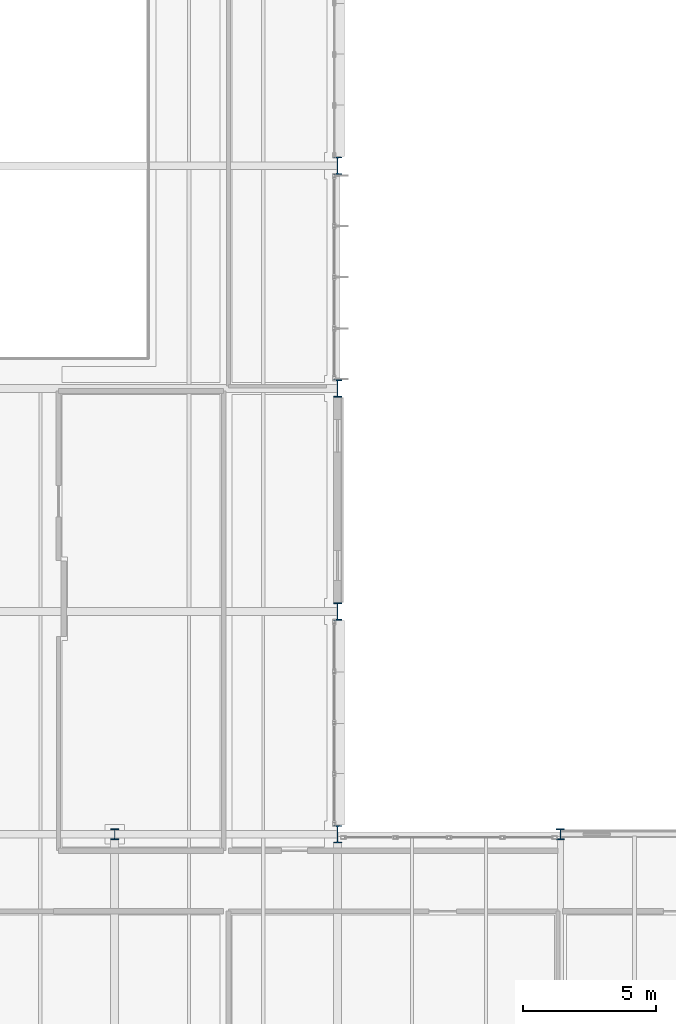
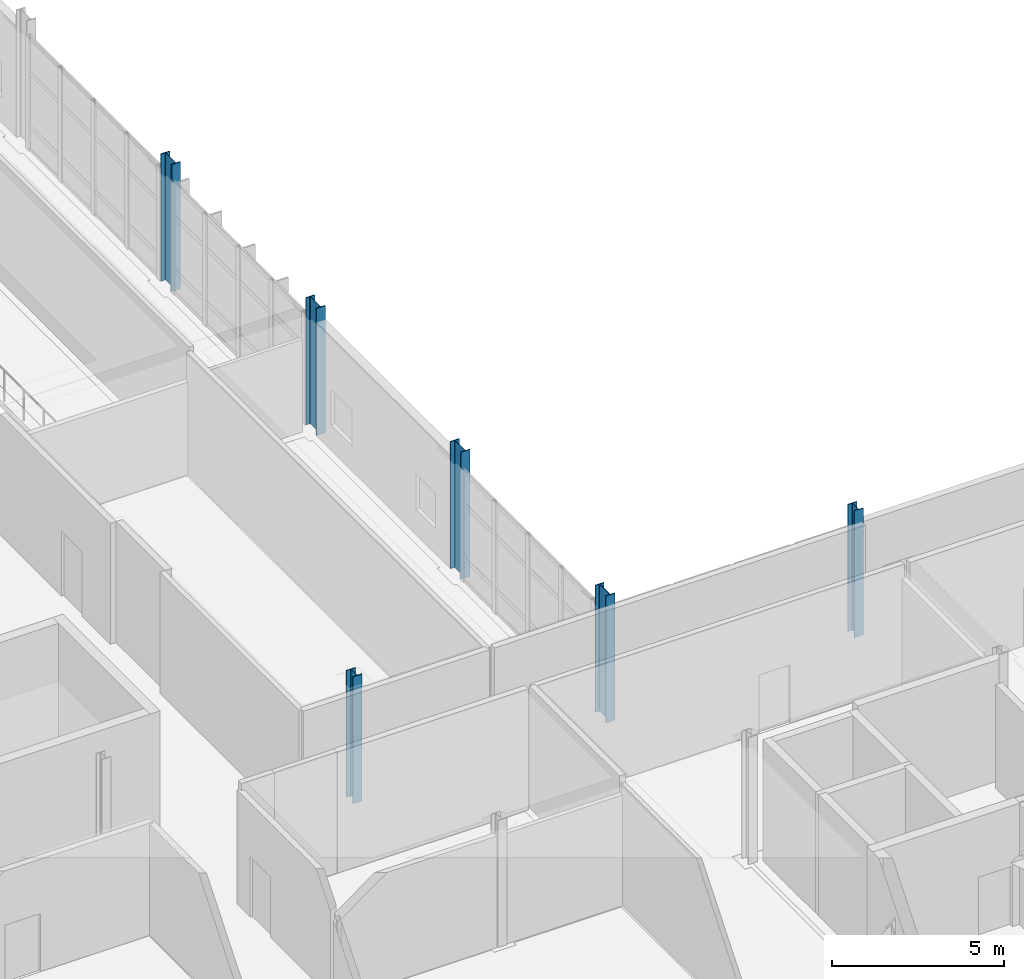
# One storey, part 7 of 129: 6 columns.
"""IFC4 building model written with IfcOpenShell, lengths in metres."""

from ifc_helpers import new_model, si_unit, direction, frame, origin, origin_2d, place, context, subcontext, project, spatial, i_section, extrude, material, material_profile, profile_set, type_object, element, save


model = new_model("IFC4")

# Units and contexts
model_context = context("Model", 3, precision=1e-05, world=origin(), true_north=direction((0.0, 1.0)))
body_context = subcontext(model_context, "Body", "Model", "MODEL_VIEW")
ifc_project = project(units=[si_unit("LENGTHUNIT", "METRE"), si_unit("AREAUNIT", "SQUARE_METRE"), si_unit("VOLUMEUNIT", "CUBIC_METRE"), si_unit("PLANEANGLEUNIT", "RADIAN"), si_unit("MASSUNIT", "GRAM", prefix="KILO")], contexts=[model_context])

# Site, building, storey
site_placement = place(None, origin())
site = spatial("IfcSite", under=ifc_project, at=site_placement, CompositionType="ELEMENT")
building_placement = place(site_placement, origin())
building = spatial("IfcBuilding", under=site, at=building_placement, Name="Mersafa Astral City Hall", CompositionType="ELEMENT")
storey_placement = place(building_placement, frame((0.0, 0.0, 5.39990234375)))
storey = spatial("IfcBuildingStorey", under=building, at=storey_placement, Name="L01", CompositionType="ELEMENT", Elevation=5.39990234375)

# Columns
ifc_material = material(Name="Steel S355", Category="steel")
ifc_material_profile_1 = material_profile(ifc_material, i_section(OverallWidth=0.300048828125, OverallDepth=0.39990234375, WebThickness=0.013427734375, FlangeThickness=0.02392578125, FilletRadius=0.027099609375, at=origin_2d()), Name="HEB 400")
ifc_profile_set_1 = profile_set([ifc_material_profile_1], Name="Steel S355")
column_type_1 = type_object("IfcColumnType", Name="STR-COL-HEB400", PredefinedType="COLUMN", material=ifc_profile_set_1)
for number, where, z_axis, x_axis, name in (
    (1, (109.199951171875, 33.60009765625, 0.0), (0.0, 0.0, 1.0), (1.0, 0.0, 0.0), "L01 Structural column G-13-04"),
    (2, (126.0, 33.60009765625, 0.0), (0.0, 0.0, 1.0), (1.0, 0.0, 0.0), "L01 Structural column G-15-04"),
):
    element("IfcColumn", number, at=place(storey_placement, frame(where, z_axis=z_axis, x_axis=x_axis)), inside=storey, type_object=column_type_1, Name=name, PredefinedType="COLUMN", context=body_context, shape_type="SweptSolid", body=[
        extrude(i_section(OverallWidth=0.300048828125, OverallDepth=0.39990234375, WebThickness=0.013427734375, FlangeThickness=0.02392578125, FilletRadius=0.027099609375, at=origin_2d()), origin(), (0.0, 0.0, 1.0), 4.5),
    ])
ifc_material_profile_2 = material_profile(ifc_material, i_section(OverallWidth=0.300048828125, OverallDepth=0.64990234375, WebThickness=0.01611328125, FlangeThickness=0.031005859375, FilletRadius=0.027099609375, at=origin_2d()), Name="HEB 650")
ifc_profile_set_2 = profile_set([ifc_material_profile_2], Name="Steel S355")
column_type_2 = type_object("IfcColumnType", Name="STR-COL-HEB650", PredefinedType="COLUMN", material=ifc_profile_set_2)
for number, where, z_axis, x_axis, name in (
    (3, (117.60009765625, 33.60009765625, 0.0), (0.0, 0.0, 1.0), (1.0, 0.0, 0.0), "L01 Structural column G-14-04"),
    (4, (117.60009765625, 42.0, 0.0), (0.0, 0.0, 1.0), (1.0, 0.0, 0.0), "L01 Structural column G-14-05"),
    (5, (117.60009765625, 50.39990234375, 0.0), (0.0, 0.0, 1.0), (1.0, 0.0, 0.0), "L01 Structural column G-14-06"),
    (6, (117.60009765625, 58.800048828125, 0.0), (0.0, 0.0, 1.0), (1.0, 0.0, 0.0), "L01 Structural column G-14-07"),
):
    element("IfcColumn", number, at=place(storey_placement, frame(where, z_axis=z_axis, x_axis=x_axis)), inside=storey, type_object=column_type_2, Name=name, PredefinedType="COLUMN", context=body_context, shape_type="SweptSolid", body=[
        extrude(i_section(OverallWidth=0.300048828125, OverallDepth=0.64990234375, WebThickness=0.01611328125, FlangeThickness=0.031005859375, FilletRadius=0.027099609375, at=origin_2d()), origin(), (0.0, 0.0, 1.0), 4.5),
    ])

save(model, "model.ifc")
